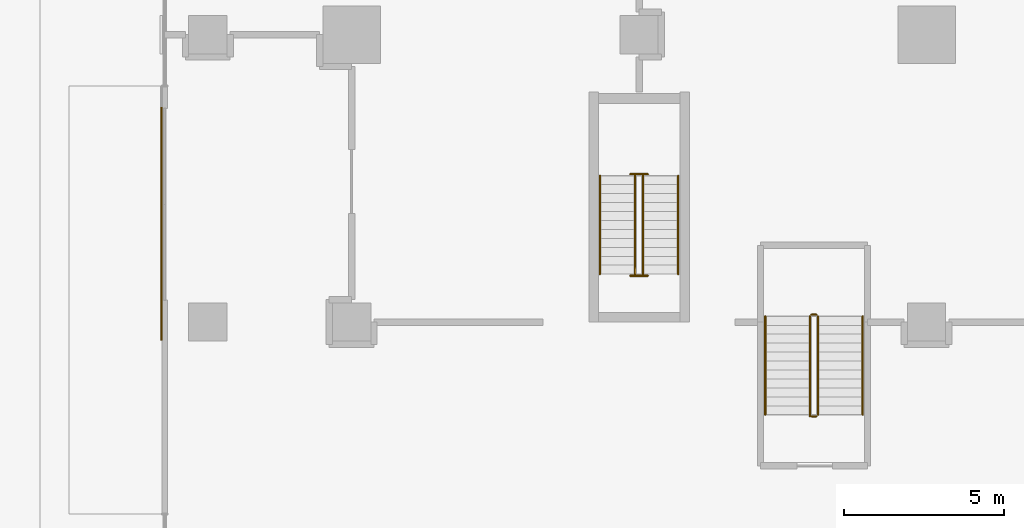
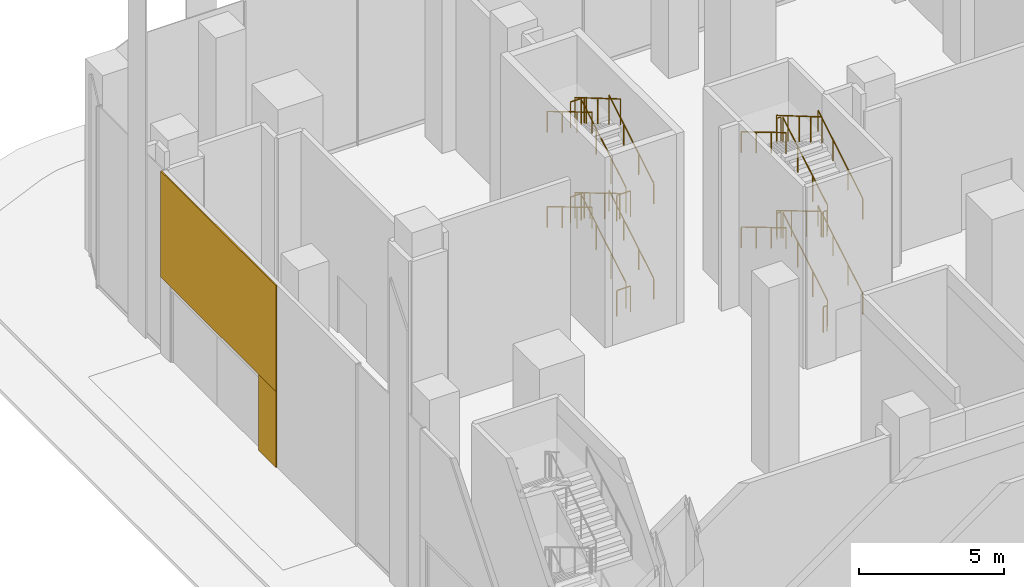
# One storey, part 33 of 42: 24 railings, 2 coverings.
"""IFC4 building model written with IfcOpenShell, lengths in metres."""

import ifcopenshell
import ifcopenshell.guid

model = None  # the IFC model being written
_history = None  # IfcOwnerHistory: only IFC2X3 demands one
_inside = {}  # id of a spatial element -> (the spatial element, [elements in it])
_under = {}  # id of a project, library or spatial element -> (it, [spatial elements below it])
_declared = {}  # id of a project -> (the project, [libraries it declares])
_typed = {}  # id of a type object -> (the type object, [elements of that type])
_made_of = {}  # id of a material, layer set ... -> (it, [elements and type objects made of it])


def new_model(schema):
    """Start an empty IFC model of exactly this schema.

    Asked for "IFC4X3", IfcOpenShell would pick the latest addendum, in which some entities
    have other attributes; the version numbers below select the first issue.
    IFC2X3 requires an IfcOwnerHistory on every rooted entity: one is made here for all.
    """
    global model, _history
    if schema == "IFC4X3":
        model = ifcopenshell.file(schema_version=(4, 3, 0, 0))
    else:
        model = ifcopenshell.file(schema=schema)
    _inside.clear()
    _under.clear()
    _declared.clear()
    _typed.clear()
    _made_of.clear()
    _history = None
    if model.schema == "IFC2X3":
        org = make("IfcOrganization", Name="unknown")
        user = make(
            "IfcPersonAndOrganization",
            ThePerson=make("IfcPerson", FamilyName="unknown"),
            TheOrganization=org,
        )
        app = make(
            "IfcApplication",
            ApplicationDeveloper=org,
            Version="unknown",
            ApplicationFullName="unknown",
            ApplicationIdentifier="unknown",
        )
        _history = make(
            "IfcOwnerHistory",
            OwningUser=user,
            OwningApplication=app,
            ChangeAction="ADDED",
            CreationDate=0,
        )
    return model


def make(cls, **values):
    """One entity of the class cls with the attributes given. An attribute that is None is left unset."""
    return model.create_entity(
        cls, **{name: value for name, value in values.items() if value is not None}
    )


def rooted(cls, **values):
    """An entity with a GlobalId (a new one), such as an element, a storey or a relation."""
    return make(cls, GlobalId=ifcopenshell.guid.new(), OwnerHistory=_history, **values)


def si_unit(unit_type, name, prefix=None):
    """IfcSIUnit, for example si_unit("LENGTHUNIT", "METRE", prefix="MILLI")."""
    return make("IfcSIUnit", UnitType=unit_type, Prefix=prefix, Name=name)


def assignment(units):
    """IfcUnitAssignment: the units of a project."""
    return None if units is None else make("IfcUnitAssignment", Units=units)


def point(xyz):
    """IfcCartesianPoint."""
    return None if xyz is None else make("IfcCartesianPoint", Coordinates=xyz)


def direction(xyz):
    """IfcDirection."""
    return None if xyz is None else make("IfcDirection", DirectionRatios=xyz)


def frame(location, z_axis=None, x_axis=None):
    """IfcAxis2Placement3D, a coordinate frame: its origin and axes. An axis left out is left unset."""
    return make(
        "IfcAxis2Placement3D",
        Location=point(location),
        Axis=direction(z_axis),
        RefDirection=direction(x_axis),
    )


def frame_2d(location, x_axis=None):
    """IfcAxis2Placement2D, a coordinate frame in the plane: its origin and x axis."""
    return make(
        "IfcAxis2Placement2D", Location=point(location), RefDirection=direction(x_axis)
    )


def origin():
    """The frame at (0, 0, 0) with its axes left unset."""
    return frame((0.0, 0.0, 0.0))


def origin_2d():
    """The frame at (0, 0) in the plane with its x axis left unset."""
    return frame_2d((0.0, 0.0))


def place(relative_to, where):
    """IfcLocalPlacement: puts the frame where relative to a parent placement (None: the world)."""
    return make(
        "IfcLocalPlacement", PlacementRelTo=relative_to, RelativePlacement=where
    )


def context(
    kind, dimensions, precision=None, world=None, true_north=None, identifier=None
):
    """IfcGeometricRepresentationContext, for example the 3D "Model" context."""
    return make(
        "IfcGeometricRepresentationContext",
        ContextIdentifier=identifier,
        ContextType=kind,
        CoordinateSpaceDimension=dimensions,
        Precision=precision,
        WorldCoordinateSystem=world,
        TrueNorth=true_north,
    )


def subcontext(parent, identifier, kind, view, scale=None):
    """IfcGeometricRepresentationSubContext, for example "Body" below "Model"."""
    return make(
        "IfcGeometricRepresentationSubContext",
        ContextIdentifier=identifier,
        ContextType=kind,
        ParentContext=parent,
        TargetScale=scale,
        TargetView=view,
    )


def project(units=None, contexts=None):
    """IfcProject with its units and contexts."""
    return rooted(
        "IfcProject",
        Name="project",
        RepresentationContexts=contexts,
        UnitsInContext=assignment(units),
    )


def spatial(cls, under=None, at=None, **own):
    """A site, building, storey or space (cls), placed at a placement, below another one or the project."""
    s = rooted(cls, ObjectPlacement=at, **own)
    if under is not None:
        _under.setdefault(under.id(), (under, []))[1].append(s)
    return s


def profile(cls, at=None, kind="AREA", **sizes):
    """A parametric profile (cls). Its sizes go by their IFC names, for example OverallWidth=200.0."""
    return make(cls, ProfileType=kind, Position=at, **sizes)


def rectangle(**sizes):
    """IfcRectangleProfileDef."""
    return profile("IfcRectangleProfileDef", **sizes)


def circle(**sizes):
    """IfcCircleProfileDef."""
    return profile("IfcCircleProfileDef", **sizes)


def extrude(swept, where, along, depth):
    """IfcExtrudedAreaSolid: the profile swept, set in the frame where, extruded along a direction by depth."""
    return make(
        "IfcExtrudedAreaSolid",
        SweptArea=swept,
        Position=where,
        ExtrudedDirection=direction(along),
        Depth=depth,
    )


def shape(context_of_items, identifier, shape_type, items):
    """IfcShapeRepresentation: the items that make up one representation, for example the "Body"."""
    return make(
        "IfcShapeRepresentation",
        ContextOfItems=context_of_items,
        RepresentationIdentifier=identifier,
        RepresentationType=shape_type,
        Items=items,
    )


def material(Name=None, Category=None):
    """IfcMaterial."""
    return make("IfcMaterial", Name=Name, Category=Category)


def layer(
    of_material, thickness, ventilated=None, Name=None, Category=None, Priority=None
):
    """IfcMaterialLayer: one layer of a wall or slab, of a material (None: an air gap)."""
    return make(
        "IfcMaterialLayer",
        Material=of_material,
        LayerThickness=thickness,
        IsVentilated=ventilated,
        Name=Name,
        Category=Category,
        Priority=Priority,
    )


def layer_set(layers, Name=None):
    """IfcMaterialLayerSet."""
    return make("IfcMaterialLayerSet", MaterialLayers=layers, LayerSetName=Name)


def made_of(thing, what):
    """Note that an element or type object is made of a material, layer set ...; save() writes the relation."""
    if what is not None:
        _made_of.setdefault(what.id(), (what, []))[1].append(thing)
    return thing


def type_object(cls, material=None, **own):
    """A type object (cls), such as IfcWallType, which elements share."""
    return made_of(rooted(cls, **own), material)


def element(
    cls,
    number,
    at=None,
    inside=None,
    cuts=None,
    type_object=None,
    material=None,
    context=None,
    identifier="Body",
    shape_type=None,
    held_by="IfcProductDefinitionShape",
    body=None,
    shapes=None,
    **own,
):
    """One element of the class cls, such as IfcWall. Its Tag is "e" and its number.

    at: its placement. inside: the storey or other place that contains it. cuts: it is an
    opening in that element (IfcRelVoidsElement). A single representation is given by context,
    identifier, shape_type and body (its items); several are given by shapes. held_by: the class
    of the entity that holds the representations. save() writes the other relations.
    """
    e = rooted(cls, Tag="e%d" % number, ObjectPlacement=at, **own)
    if body is not None:
        shapes = [shape(context, identifier, shape_type, body)]
    if shapes is not None:
        e.Representation = make(held_by, Representations=shapes)
    if inside is not None:
        _inside.setdefault(inside.id(), (inside, []))[1].append(e)
    if cuts is not None:
        rooted(
            "IfcRelVoidsElement", RelatingBuildingElement=cuts, RelatedOpeningElement=e
        )
    if type_object is not None:
        _typed.setdefault(type_object.id(), (type_object, []))[1].append(e)
    return made_of(e, material)


def aggregate(whole, parts):
    """IfcRelAggregates: a whole, such as a stair, and the parts it consists of."""
    return rooted("IfcRelAggregates", RelatingObject=whole, RelatedObjects=parts)


def save(model, path):
    """Write the relations noted so far, then the file.

    IfcRelAggregates (storeys below a building ...), IfcRelContainedInSpatialStructure (elements
    in a storey), IfcRelDefinesByType, IfcRelAssociatesMaterial and IfcRelDeclares: one each for
    every whole, place, type object, material and project.
    """
    for whole, parts in _under.values():
        aggregate(whole, parts)
    for where, things in _inside.values():
        rooted(
            "IfcRelContainedInSpatialStructure",
            RelatedElements=things,
            RelatingStructure=where,
        )
    for kind, things in _typed.values():
        rooted("IfcRelDefinesByType", RelatedObjects=things, RelatingType=kind)
    for what, things in _made_of.values():
        rooted("IfcRelAssociatesMaterial", RelatedObjects=things, RelatingMaterial=what)
    for by, libraries in _declared.values():
        rooted("IfcRelDeclares", RelatingContext=by, RelatedDefinitions=libraries)
    model.write(path)


model = new_model("IFC4")

# Units and contexts
model_context = context("Model", 3, precision=1e-05, world=origin(), true_north=direction((0.0, 1.0)))
body_context = subcontext(model_context, "Body", "Model", "MODEL_VIEW")
ifc_project = project(units=[si_unit("LENGTHUNIT", "METRE"), si_unit("AREAUNIT", "SQUARE_METRE"), si_unit("VOLUMEUNIT", "CUBIC_METRE"), si_unit("PLANEANGLEUNIT", "RADIAN"), si_unit("MASSUNIT", "GRAM", prefix="KILO")], contexts=[model_context])

# Site, building, storey
site_placement = place(None, origin())
site = spatial("IfcSite", under=ifc_project, at=site_placement, CompositionType="ELEMENT")
building_placement = place(site_placement, origin())
building = spatial("IfcBuilding", under=site, at=building_placement, Name="Plateau Cross Towers", CompositionType="ELEMENT")
storey_placement = place(building_placement, origin())
storey = spatial("IfcBuildingStorey", under=building, at=storey_placement, Name="L00", CompositionType="ELEMENT", Elevation=0.0)

# Coverings
ifc_material_1 = material(Name="Aluminium composite cladding", Category="aluminium")
ifc_layer = layer(ifc_material_1, 0.050048828125)
ifc_layer_set = layer_set([ifc_layer], Name="Aluminium composite cladding")
covering_type = type_object("IfcCoveringType", Name="Entrance surround board 50", PredefinedType="CLADDING", material=ifc_layer_set)
covering_1_placement = place(storey_placement, frame((-5.955078125, 48.4111328125, 3.2001953125), z_axis=(0.0, 0.0, 1.0), x_axis=(0.0, -1.0, 0.0)))
element("IfcCovering", 1, at=covering_1_placement, inside=storey, type_object=covering_type, Name="Entrance station-W2 head fascia", PredefinedType="CLADDING", context=body_context, shape_type="SweptSolid", body=[
    extrude(rectangle(XDim=7.947509765625, YDim=0.050048828125, at=origin_2d()), origin(), (0.0, 0.0, 1.0), 4.449951171875),
])
covering_2_placement = place(storey_placement, frame((-5.955078125, 45.03759765625, 0.0), z_axis=(0.0, 0.0, 1.0), x_axis=(0.0, -1.0, 0.0)))
element("IfcCovering", 2, at=covering_2_placement, inside=storey, type_object=covering_type, Name="Entrance station-W2 pier", PredefinedType="CLADDING", context=body_context, shape_type="SweptSolid", body=[
    extrude(rectangle(XDim=1.199951171875, YDim=0.050048828125, at=origin_2d()), origin(), (0.0, 0.0, 1.0), 3.199951171875),
])

# Railings
ifc_material_2 = material(Name="Stainless steel and toughened glass", Category="steel")
railing_type_1 = type_object("IfcRailingType", Name="RL-GUARD-1100", PredefinedType="GUARDRAIL", material=ifc_material_2)
railing_1_placement = place(storey_placement, frame((9.125, 46.5, 0.166748046875)))
element("IfcRailing", 3, at=railing_1_placement, inside=storey, type_object=railing_type_1, Name="L00 ES-N stair guard 1", PredefinedType="GUARDRAIL", context=body_context, shape_type="SweptSolid", body=[
    extrude(circle(Radius=0.02392578125, at=origin_2d()), frame((0.0, 0.0, 1.076171875), z_axis=(0.0, 0.859308565015, 0.511457515432), x_axis=(-1.0, 0.0, 0.0)), (0.0, 0.0, 1.0), 3.58447265625),
    extrude(circle(Radius=0.02099609375, at=origin_2d()), origin(), (0.0, 0.0, 1.0), 1.052001953125),
    extrude(circle(Radius=0.02099609375, at=origin_2d()), frame((0.0, 1.026611328125, 0.611083984375)), (0.0, 0.0, 1.0), 1.052001953125),
    extrude(circle(Radius=0.02099609375, at=origin_2d()), frame((0.0, 2.053466796875, 1.22216796875)), (0.0, 0.0, 1.0), 1.052001953125),
    extrude(circle(Radius=0.02099609375, at=origin_2d()), frame((0.0, 3.080078125, 1.833251953125)), (0.0, 0.0, 1.0), 1.052001953125),
])
railing_2_placement = place(storey_placement, frame((9.27490234375, 49.6298828125, 2.0)))
element("IfcRailing", 4, at=railing_2_placement, inside=storey, type_object=railing_type_1, Name="L00 ES-N stair guard 2", PredefinedType="GUARDRAIL", context=body_context, shape_type="SweptSolid", body=[
    extrude(circle(Radius=0.02392578125, at=origin_2d()), frame((0.0, 0.0, 1.076171875), z_axis=(-1.0, 0.0, 0.0), x_axis=(0.0, -1.0, 0.0)), (0.0, 0.0, 1.0), 0.5498046875),
    extrude(circle(Radius=0.02099609375, at=origin_2d()), origin(), (0.0, 0.0, 1.0), 1.052001953125),
    extrude(circle(Radius=0.02099609375, at=origin_2d()), frame((-0.5498046875, 0.0, 0.0)), (0.0, 0.0, 1.0), 1.052001953125),
])
railing_3_placement = place(storey_placement, frame((8.875, 49.580078125, 2.166748046875)))
element("IfcRailing", 5, at=railing_3_placement, inside=storey, type_object=railing_type_1, Name="L00 ES-N stair guard 3", PredefinedType="GUARDRAIL", context=body_context, shape_type="SweptSolid", body=[
    extrude(circle(Radius=0.02392578125, at=origin_2d()), frame((0.0, 0.0, 1.076171875), z_axis=(0.0, -0.859308565015, 0.511457515432), x_axis=(1.0, 0.0, 0.0)), (0.0, 0.0, 1.0), 3.58447265625),
    extrude(circle(Radius=0.02099609375, at=origin_2d()), origin(), (0.0, 0.0, 1.0), 1.052001953125),
    extrude(circle(Radius=0.02099609375, at=origin_2d()), frame((0.0, -1.026611328125, 0.611083984375)), (0.0, 0.0, 1.0), 1.052001953125),
    extrude(circle(Radius=0.02099609375, at=origin_2d()), frame((0.0, -2.053466796875, 1.22216796875)), (0.0, 0.0, 1.0), 1.052001953125),
    extrude(circle(Radius=0.02099609375, at=origin_2d()), frame((0.0, -3.080078125, 1.833251953125)), (0.0, 0.0, 1.0), 1.052001953125),
])
railing_4_placement = place(storey_placement, frame((9.27490234375, 46.449951171875, 4.0)))
element("IfcRailing", 6, at=railing_4_placement, inside=storey, type_object=railing_type_1, Name="L00 ES-N stair guard 4", PredefinedType="GUARDRAIL", context=body_context, shape_type="SweptSolid", body=[
    extrude(circle(Radius=0.02392578125, at=origin_2d()), frame((0.0, 0.0, 1.076171875), z_axis=(-1.0, 0.0, 0.0), x_axis=(0.0, -1.0, 0.0)), (0.0, 0.0, 1.0), 0.5498046875),
    extrude(circle(Radius=0.02099609375, at=origin_2d()), origin(), (0.0, 0.0, 1.0), 1.052001953125),
    extrude(circle(Radius=0.02099609375, at=origin_2d()), frame((-0.5498046875, 0.0, 0.0)), (0.0, 0.0, 1.0), 1.052001953125),
])
railing_5_placement = place(storey_placement, frame((9.125, 46.5, 4.166748046875)))
element("IfcRailing", 7, at=railing_5_placement, inside=storey, type_object=railing_type_1, Name="L00 ES-N stair guard 5", PredefinedType="GUARDRAIL", context=body_context, shape_type="SweptSolid", body=[
    extrude(circle(Radius=0.02392578125, at=origin_2d()), frame((0.0, 0.0, 1.076171875), z_axis=(0.0, 0.859308565015, 0.511457515432), x_axis=(-1.0, 0.0, 0.0)), (0.0, 0.0, 1.0), 3.58447265625),
    extrude(circle(Radius=0.02099609375, at=origin_2d()), origin(), (0.0, 0.0, 1.0), 1.052001953125),
    extrude(circle(Radius=0.02099609375, at=origin_2d()), frame((0.0, 1.026611328125, 0.611083984375)), (0.0, 0.0, 1.0), 1.052001953125),
    extrude(circle(Radius=0.02099609375, at=origin_2d()), frame((0.0, 2.053466796875, 1.22216796875)), (0.0, 0.0, 1.0), 1.052001953125),
    extrude(circle(Radius=0.02099609375, at=origin_2d()), frame((0.0, 3.080078125, 1.833251953125)), (0.0, 0.0, 1.0), 1.052001953125),
])
railing_6_placement = place(storey_placement, frame((9.27490234375, 49.6298828125, 6.0)))
element("IfcRailing", 8, at=railing_6_placement, inside=storey, type_object=railing_type_1, Name="L00 ES-N stair guard 6", PredefinedType="GUARDRAIL", context=body_context, shape_type="SweptSolid", body=[
    extrude(circle(Radius=0.02392578125, at=origin_2d()), frame((0.0, 0.0, 1.076171875), z_axis=(-1.0, 0.0, 0.0), x_axis=(0.0, -1.0, 0.0)), (0.0, 0.0, 1.0), 0.5498046875),
    extrude(circle(Radius=0.02099609375, at=origin_2d()), origin(), (0.0, 0.0, 1.0), 1.052001953125),
    extrude(circle(Radius=0.02099609375, at=origin_2d()), frame((-0.5498046875, 0.0, 0.0)), (0.0, 0.0, 1.0), 1.052001953125),
])
railing_7_placement = place(storey_placement, frame((8.875, 49.580078125, 6.166748046875)))
element("IfcRailing", 9, at=railing_7_placement, inside=storey, type_object=railing_type_1, Name="L00 ES-N stair guard 7", PredefinedType="GUARDRAIL", context=body_context, shape_type="SweptSolid", body=[
    extrude(circle(Radius=0.02392578125, at=origin_2d()), frame((0.0, 0.0, 1.076171875), z_axis=(0.0, -0.862896359239, 0.505380918924), x_axis=(1.0, 0.0, 0.0)), (0.0, 0.0, 1.0), 3.62744140625),
    extrude(circle(Radius=0.02099609375, at=origin_2d()), origin(), (0.0, 0.0, 1.0), 1.052001953125),
    extrude(circle(Radius=0.02099609375, at=origin_2d()), frame((0.0, -0.782470703125, 0.458251953125)), (0.0, 0.0, 1.0), 1.052001953125),
    extrude(circle(Radius=0.02099609375, at=origin_2d()), frame((0.0, -1.56494140625, 0.91650390625)), (0.0, 0.0, 1.0), 1.052001953125),
    extrude(circle(Radius=0.02099609375, at=origin_2d()), frame((0.0, -2.34765625, 1.375)), (0.0, 0.0, 1.0), 1.052001953125),
    extrude(circle(Radius=0.02099609375, at=origin_2d()), frame((0.0, -3.130126953125, 1.833251953125)), (0.0, 0.0, 1.0), 1.052001953125),
])
railing_8_placement = place(storey_placement, frame((9.27490234375, 46.449951171875, 0.0)))
element("IfcRailing", 10, at=railing_8_placement, inside=storey, type_object=railing_type_1, Name="L00 ES-N stair guard 8", PredefinedType="GUARDRAIL", context=body_context, shape_type="SweptSolid", body=[
    extrude(circle(Radius=0.02392578125, at=origin_2d()), frame((0.0, 0.0, 1.076171875), z_axis=(-1.0, 0.0, 0.0), x_axis=(0.0, -1.0, 0.0)), (0.0, 0.0, 1.0), 0.5498046875),
    extrude(circle(Radius=0.02099609375, at=origin_2d()), origin(), (0.0, 0.0, 1.0), 1.052001953125),
    extrude(circle(Radius=0.02099609375, at=origin_2d()), frame((-0.5498046875, 0.0, 0.0)), (0.0, 0.0, 1.0), 1.052001953125),
])
railing_9_placement = place(storey_placement, frame((14.60009765625, 42.10009765625, 0.166748046875)))
element("IfcRailing", 11, at=railing_9_placement, inside=storey, type_object=railing_type_1, Name="L00 PS6 stair guard 1", PredefinedType="GUARDRAIL", context=body_context, shape_type="SweptSolid", body=[
    extrude(circle(Radius=0.02392578125, at=origin_2d()), frame((0.0, 0.0, 1.076171875), z_axis=(0.0, 0.859290745958, 0.51148745235), x_axis=(-1.0, 0.0, 0.0)), (0.0, 0.0, 1.0), 3.584228515625),
    extrude(circle(Radius=0.02099609375, at=origin_2d()), origin(), (0.0, 0.0, 1.0), 1.052001953125),
    extrude(circle(Radius=0.02099609375, at=origin_2d()), frame((0.0, 1.026611328125, 0.611083984375)), (0.0, 0.0, 1.0), 1.052001953125),
    extrude(circle(Radius=0.02099609375, at=origin_2d()), frame((0.0, 2.05322265625, 1.22216796875)), (0.0, 0.0, 1.0), 1.052001953125),
    extrude(circle(Radius=0.02099609375, at=origin_2d()), frame((0.0, 3.079833984375, 1.833251953125)), (0.0, 0.0, 1.0), 1.052001953125),
])
railing_10_placement = place(storey_placement, frame((14.550048828125, 45.22998046875, 2.0)))
element("IfcRailing", 12, at=railing_10_placement, inside=storey, type_object=railing_type_1, Name="L00 PS6 stair guard 2", PredefinedType="GUARDRAIL", context=body_context, shape_type="SweptSolid", body=[
    extrude(circle(Radius=0.02392578125, at=origin_2d()), frame((0.0, 0.0, 1.076171875), z_axis=(-1.0, 0.0, 0.0), x_axis=(0.0, -1.0, 0.0)), (0.0, 0.0, 1.0), 0.150146484375),
    extrude(circle(Radius=0.02099609375, at=origin_2d()), origin(), (0.0, 0.0, 1.0), 1.052001953125),
    extrude(circle(Radius=0.02099609375, at=origin_2d()), frame((-0.150146484375, 0.0, 0.0)), (0.0, 0.0, 1.0), 1.052001953125),
])
railing_11_placement = place(storey_placement, frame((14.35009765625, 45.179931640625, 2.166748046875)))
element("IfcRailing", 13, at=railing_11_placement, inside=storey, type_object=railing_type_1, Name="L00 PS6 stair guard 3", PredefinedType="GUARDRAIL", context=body_context, shape_type="SweptSolid", body=[
    extrude(circle(Radius=0.02392578125, at=origin_2d()), frame((0.0, 0.0, 1.076171875), z_axis=(0.0, -0.859290745958, 0.51148745235), x_axis=(1.0, 0.0, 0.0)), (0.0, 0.0, 1.0), 3.584228515625),
    extrude(circle(Radius=0.02099609375, at=origin_2d()), origin(), (0.0, 0.0, 1.0), 1.052001953125),
    extrude(circle(Radius=0.02099609375, at=origin_2d()), frame((0.0, -1.026611328125, 0.611083984375)), (0.0, 0.0, 1.0), 1.052001953125),
    extrude(circle(Radius=0.02099609375, at=origin_2d()), frame((0.0, -2.05322265625, 1.22216796875)), (0.0, 0.0, 1.0), 1.052001953125),
    extrude(circle(Radius=0.02099609375, at=origin_2d()), frame((0.0, -3.079833984375, 1.833251953125)), (0.0, 0.0, 1.0), 1.052001953125),
])
railing_12_placement = place(storey_placement, frame((14.550048828125, 42.050048828125, 4.0)))
element("IfcRailing", 14, at=railing_12_placement, inside=storey, type_object=railing_type_1, Name="L00 PS6 stair guard 4", PredefinedType="GUARDRAIL", context=body_context, shape_type="SweptSolid", body=[
    extrude(circle(Radius=0.02392578125, at=origin_2d()), frame((0.0, 0.0, 1.076171875), z_axis=(-1.0, 0.0, 0.0), x_axis=(0.0, -1.0, 0.0)), (0.0, 0.0, 1.0), 0.150146484375),
    extrude(circle(Radius=0.02099609375, at=origin_2d()), origin(), (0.0, 0.0, 1.0), 1.052001953125),
    extrude(circle(Radius=0.02099609375, at=origin_2d()), frame((-0.150146484375, 0.0, 0.0)), (0.0, 0.0, 1.0), 1.052001953125),
])
railing_13_placement = place(storey_placement, frame((14.60009765625, 42.10009765625, 4.166748046875)))
element("IfcRailing", 15, at=railing_13_placement, inside=storey, type_object=railing_type_1, Name="L00 PS6 stair guard 5", PredefinedType="GUARDRAIL", context=body_context, shape_type="SweptSolid", body=[
    extrude(circle(Radius=0.02392578125, at=origin_2d()), frame((0.0, 0.0, 1.076171875), z_axis=(0.0, 0.859290745958, 0.51148745235), x_axis=(-1.0, 0.0, 0.0)), (0.0, 0.0, 1.0), 3.584228515625),
    extrude(circle(Radius=0.02099609375, at=origin_2d()), origin(), (0.0, 0.0, 1.0), 1.052001953125),
    extrude(circle(Radius=0.02099609375, at=origin_2d()), frame((0.0, 1.026611328125, 0.611083984375)), (0.0, 0.0, 1.0), 1.052001953125),
    extrude(circle(Radius=0.02099609375, at=origin_2d()), frame((0.0, 2.05322265625, 1.22216796875)), (0.0, 0.0, 1.0), 1.052001953125),
    extrude(circle(Radius=0.02099609375, at=origin_2d()), frame((0.0, 3.079833984375, 1.833251953125)), (0.0, 0.0, 1.0), 1.052001953125),
])
railing_14_placement = place(storey_placement, frame((14.550048828125, 45.22998046875, 6.0)))
element("IfcRailing", 16, at=railing_14_placement, inside=storey, type_object=railing_type_1, Name="L00 PS6 stair guard 6", PredefinedType="GUARDRAIL", context=body_context, shape_type="SweptSolid", body=[
    extrude(circle(Radius=0.02392578125, at=origin_2d()), frame((0.0, 0.0, 1.076171875), z_axis=(-1.0, 0.0, 0.0), x_axis=(0.0, -1.0, 0.0)), (0.0, 0.0, 1.0), 0.150146484375),
    extrude(circle(Radius=0.02099609375, at=origin_2d()), origin(), (0.0, 0.0, 1.0), 1.052001953125),
    extrude(circle(Radius=0.02099609375, at=origin_2d()), frame((-0.150146484375, 0.0, 0.0)), (0.0, 0.0, 1.0), 1.052001953125),
])
railing_15_placement = place(storey_placement, frame((14.35009765625, 45.179931640625, 6.166748046875)))
element("IfcRailing", 17, at=railing_15_placement, inside=storey, type_object=railing_type_1, Name="L00 PS6 stair guard 7", PredefinedType="GUARDRAIL", context=body_context, shape_type="SweptSolid", body=[
    extrude(circle(Radius=0.02392578125, at=origin_2d()), frame((0.0, 0.0, 1.076171875), z_axis=(0.0, -0.862879167799, 0.505410270749), x_axis=(1.0, 0.0, 0.0)), (0.0, 0.0, 1.0), 3.627197265625),
    extrude(circle(Radius=0.02099609375, at=origin_2d()), origin(), (0.0, 0.0, 1.0), 1.052001953125),
    extrude(circle(Radius=0.02099609375, at=origin_2d()), frame((0.0, -0.782470703125, 0.458251953125)), (0.0, 0.0, 1.0), 1.052001953125),
    extrude(circle(Radius=0.02099609375, at=origin_2d()), frame((0.0, -1.56494140625, 0.91650390625)), (0.0, 0.0, 1.0), 1.052001953125),
    extrude(circle(Radius=0.02099609375, at=origin_2d()), frame((0.0, -2.347412109375, 1.375)), (0.0, 0.0, 1.0), 1.052001953125),
    extrude(circle(Radius=0.02099609375, at=origin_2d()), frame((0.0, -3.1298828125, 1.833251953125)), (0.0, 0.0, 1.0), 1.052001953125),
])
railing_16_placement = place(storey_placement, frame((14.550048828125, 42.050048828125, 0.0)))
element("IfcRailing", 18, at=railing_16_placement, inside=storey, type_object=railing_type_1, Name="L00 PS6 stair guard 8", PredefinedType="GUARDRAIL", context=body_context, shape_type="SweptSolid", body=[
    extrude(circle(Radius=0.02392578125, at=origin_2d()), frame((0.0, 0.0, 1.076171875), z_axis=(-1.0, 0.0, 0.0), x_axis=(0.0, -1.0, 0.0)), (0.0, 0.0, 1.0), 0.150146484375),
    extrude(circle(Radius=0.02099609375, at=origin_2d()), origin(), (0.0, 0.0, 1.0), 1.052001953125),
    extrude(circle(Radius=0.02099609375, at=origin_2d()), frame((-0.150146484375, 0.0, 0.0)), (0.0, 0.0, 1.0), 1.052001953125),
])
ifc_material_3 = material(Name="Black anodised aluminium", Category="aluminium")
railing_type_2 = type_object("IfcRailingType", Name="RL-HANDRAIL-900", PredefinedType="HANDRAIL", material=ifc_material_3)
railing_17_placement = place(storey_placement, frame((10.22509765625, 46.5, 0.166748046875)))
element("IfcRailing", 19, at=railing_17_placement, inside=storey, type_object=railing_type_2, Name="L00 ES-N stair handrail 1", PredefinedType="HANDRAIL", context=body_context, shape_type="SweptSolid", body=[
    extrude(circle(Radius=0.02392578125, at=origin_2d()), frame((0.0, 0.0, 0.8759765625), z_axis=(0.0, 0.859308565015, 0.511457515432), x_axis=(-1.0, 0.0, 0.0)), (0.0, 0.0, 1.0), 3.58447265625),
    extrude(circle(Radius=0.02099609375, at=origin_2d()), origin(), (0.0, 0.0, 1.0), 0.851806640625),
    extrude(circle(Radius=0.02099609375, at=origin_2d()), frame((0.0, 1.026611328125, 0.611083984375)), (0.0, 0.0, 1.0), 0.851806640625),
    extrude(circle(Radius=0.02099609375, at=origin_2d()), frame((0.0, 2.053466796875, 1.22216796875)), (0.0, 0.0, 1.0), 0.851806640625),
    extrude(circle(Radius=0.02099609375, at=origin_2d()), frame((0.0, 3.080078125, 1.833251953125)), (0.0, 0.0, 1.0), 0.851806640625),
])
railing_18_placement = place(storey_placement, frame((7.77490234375, 49.580078125, 2.166748046875)))
element("IfcRailing", 20, at=railing_18_placement, inside=storey, type_object=railing_type_2, Name="L00 ES-N stair handrail 2", PredefinedType="HANDRAIL", context=body_context, shape_type="SweptSolid", body=[
    extrude(circle(Radius=0.02392578125, at=origin_2d()), frame((0.0, 0.0, 0.8759765625), z_axis=(0.0, -0.859308565015, 0.511457515432), x_axis=(1.0, 0.0, 0.0)), (0.0, 0.0, 1.0), 3.58447265625),
    extrude(circle(Radius=0.02099609375, at=origin_2d()), origin(), (0.0, 0.0, 1.0), 0.851806640625),
    extrude(circle(Radius=0.02099609375, at=origin_2d()), frame((0.0, -1.026611328125, 0.611083984375)), (0.0, 0.0, 1.0), 0.851806640625),
    extrude(circle(Radius=0.02099609375, at=origin_2d()), frame((0.0, -2.053466796875, 1.22216796875)), (0.0, 0.0, 1.0), 0.851806640625),
    extrude(circle(Radius=0.02099609375, at=origin_2d()), frame((0.0, -3.080078125, 1.833251953125)), (0.0, 0.0, 1.0), 0.851806640625),
])
railing_19_placement = place(storey_placement, frame((10.22509765625, 46.5, 4.166748046875)))
element("IfcRailing", 21, at=railing_19_placement, inside=storey, type_object=railing_type_2, Name="L00 ES-N stair handrail 3", PredefinedType="HANDRAIL", context=body_context, shape_type="SweptSolid", body=[
    extrude(circle(Radius=0.02392578125, at=origin_2d()), frame((0.0, 0.0, 0.8759765625), z_axis=(0.0, 0.859308565015, 0.511457515432), x_axis=(-1.0, 0.0, 0.0)), (0.0, 0.0, 1.0), 3.58447265625),
    extrude(circle(Radius=0.02099609375, at=origin_2d()), origin(), (0.0, 0.0, 1.0), 0.851806640625),
    extrude(circle(Radius=0.02099609375, at=origin_2d()), frame((0.0, 1.026611328125, 0.611083984375)), (0.0, 0.0, 1.0), 0.851806640625),
    extrude(circle(Radius=0.02099609375, at=origin_2d()), frame((0.0, 2.053466796875, 1.22216796875)), (0.0, 0.0, 1.0), 0.851806640625),
    extrude(circle(Radius=0.02099609375, at=origin_2d()), frame((0.0, 3.080078125, 1.833251953125)), (0.0, 0.0, 1.0), 0.851806640625),
])
railing_20_placement = place(storey_placement, frame((7.77490234375, 49.580078125, 6.166748046875)))
element("IfcRailing", 22, at=railing_20_placement, inside=storey, type_object=railing_type_2, Name="L00 ES-N stair handrail 4", PredefinedType="HANDRAIL", context=body_context, shape_type="SweptSolid", body=[
    extrude(circle(Radius=0.02392578125, at=origin_2d()), frame((0.0, 0.0, 0.8759765625), z_axis=(0.0, -0.859308565015, 0.511457515432), x_axis=(1.0, 0.0, 0.0)), (0.0, 0.0, 1.0), 3.58447265625),
    extrude(circle(Radius=0.02099609375, at=origin_2d()), origin(), (0.0, 0.0, 1.0), 0.851806640625),
    extrude(circle(Radius=0.02099609375, at=origin_2d()), frame((0.0, -1.026611328125, 0.611083984375)), (0.0, 0.0, 1.0), 0.851806640625),
    extrude(circle(Radius=0.02099609375, at=origin_2d()), frame((0.0, -2.053466796875, 1.22216796875)), (0.0, 0.0, 1.0), 0.851806640625),
    extrude(circle(Radius=0.02099609375, at=origin_2d()), frame((0.0, -3.080078125, 1.833251953125)), (0.0, 0.0, 1.0), 0.851806640625),
])
railing_21_placement = place(storey_placement, frame((16.0, 42.10009765625, 0.166748046875)))
element("IfcRailing", 23, at=railing_21_placement, inside=storey, type_object=railing_type_2, Name="L00 PS6 stair handrail 1", PredefinedType="HANDRAIL", context=body_context, shape_type="SweptSolid", body=[
    extrude(circle(Radius=0.02392578125, at=origin_2d()), frame((0.0, 0.0, 0.8759765625), z_axis=(0.0, 0.859290745958, 0.51148745235), x_axis=(-1.0, 0.0, 0.0)), (0.0, 0.0, 1.0), 3.584228515625),
    extrude(circle(Radius=0.02099609375, at=origin_2d()), origin(), (0.0, 0.0, 1.0), 0.851806640625),
    extrude(circle(Radius=0.02099609375, at=origin_2d()), frame((0.0, 1.026611328125, 0.611083984375)), (0.0, 0.0, 1.0), 0.851806640625),
    extrude(circle(Radius=0.02099609375, at=origin_2d()), frame((0.0, 2.05322265625, 1.22216796875)), (0.0, 0.0, 1.0), 0.851806640625),
    extrude(circle(Radius=0.02099609375, at=origin_2d()), frame((0.0, 3.079833984375, 1.833251953125)), (0.0, 0.0, 1.0), 0.851806640625),
])
railing_22_placement = place(storey_placement, frame((12.949951171875, 45.179931640625, 2.166748046875)))
element("IfcRailing", 24, at=railing_22_placement, inside=storey, type_object=railing_type_2, Name="L00 PS6 stair handrail 2", PredefinedType="HANDRAIL", context=body_context, shape_type="SweptSolid", body=[
    extrude(circle(Radius=0.02392578125, at=origin_2d()), frame((0.0, 0.0, 0.8759765625), z_axis=(0.0, -0.859290745958, 0.51148745235), x_axis=(1.0, 0.0, 0.0)), (0.0, 0.0, 1.0), 3.584228515625),
    extrude(circle(Radius=0.02099609375, at=origin_2d()), origin(), (0.0, 0.0, 1.0), 0.851806640625),
    extrude(circle(Radius=0.02099609375, at=origin_2d()), frame((0.0, -1.026611328125, 0.611083984375)), (0.0, 0.0, 1.0), 0.851806640625),
    extrude(circle(Radius=0.02099609375, at=origin_2d()), frame((0.0, -2.05322265625, 1.22216796875)), (0.0, 0.0, 1.0), 0.851806640625),
    extrude(circle(Radius=0.02099609375, at=origin_2d()), frame((0.0, -3.079833984375, 1.833251953125)), (0.0, 0.0, 1.0), 0.851806640625),
])
railing_23_placement = place(storey_placement, frame((16.0, 42.10009765625, 4.166748046875)))
element("IfcRailing", 25, at=railing_23_placement, inside=storey, type_object=railing_type_2, Name="L00 PS6 stair handrail 3", PredefinedType="HANDRAIL", context=body_context, shape_type="SweptSolid", body=[
    extrude(circle(Radius=0.02392578125, at=origin_2d()), frame((0.0, 0.0, 0.8759765625), z_axis=(0.0, 0.859290745958, 0.51148745235), x_axis=(-1.0, 0.0, 0.0)), (0.0, 0.0, 1.0), 3.584228515625),
    extrude(circle(Radius=0.02099609375, at=origin_2d()), origin(), (0.0, 0.0, 1.0), 0.851806640625),
    extrude(circle(Radius=0.02099609375, at=origin_2d()), frame((0.0, 1.026611328125, 0.611083984375)), (0.0, 0.0, 1.0), 0.851806640625),
    extrude(circle(Radius=0.02099609375, at=origin_2d()), frame((0.0, 2.05322265625, 1.22216796875)), (0.0, 0.0, 1.0), 0.851806640625),
    extrude(circle(Radius=0.02099609375, at=origin_2d()), frame((0.0, 3.079833984375, 1.833251953125)), (0.0, 0.0, 1.0), 0.851806640625),
])
railing_24_placement = place(storey_placement, frame((12.949951171875, 45.179931640625, 6.166748046875)))
element("IfcRailing", 26, at=railing_24_placement, inside=storey, type_object=railing_type_2, Name="L00 PS6 stair handrail 4", PredefinedType="HANDRAIL", context=body_context, shape_type="SweptSolid", body=[
    extrude(circle(Radius=0.02392578125, at=origin_2d()), frame((0.0, 0.0, 0.8759765625), z_axis=(0.0, -0.859290745958, 0.51148745235), x_axis=(1.0, 0.0, 0.0)), (0.0, 0.0, 1.0), 3.584228515625),
    extrude(circle(Radius=0.02099609375, at=origin_2d()), origin(), (0.0, 0.0, 1.0), 0.851806640625),
    extrude(circle(Radius=0.02099609375, at=origin_2d()), frame((0.0, -1.026611328125, 0.611083984375)), (0.0, 0.0, 1.0), 0.851806640625),
    extrude(circle(Radius=0.02099609375, at=origin_2d()), frame((0.0, -2.05322265625, 1.22216796875)), (0.0, 0.0, 1.0), 0.851806640625),
    extrude(circle(Radius=0.02099609375, at=origin_2d()), frame((0.0, -3.079833984375, 1.833251953125)), (0.0, 0.0, 1.0), 0.851806640625),
])

save(model, "model.ifc")
